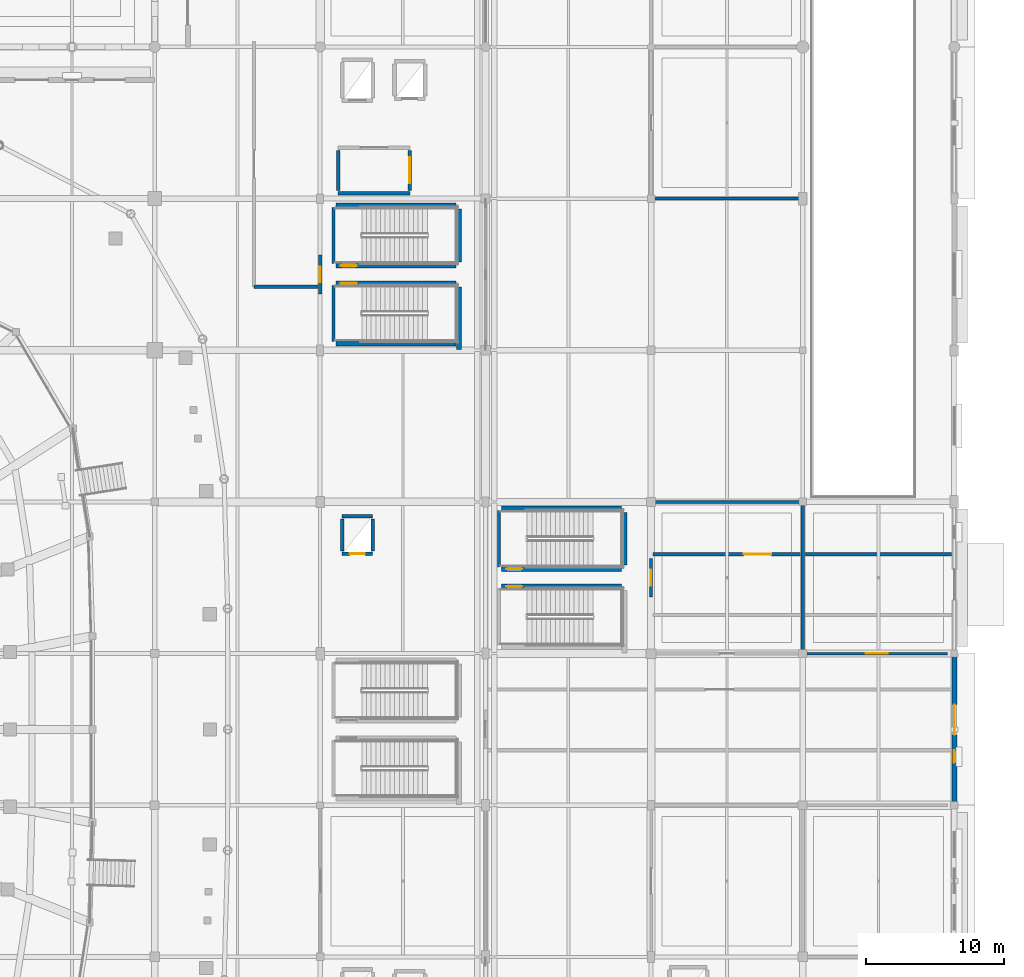
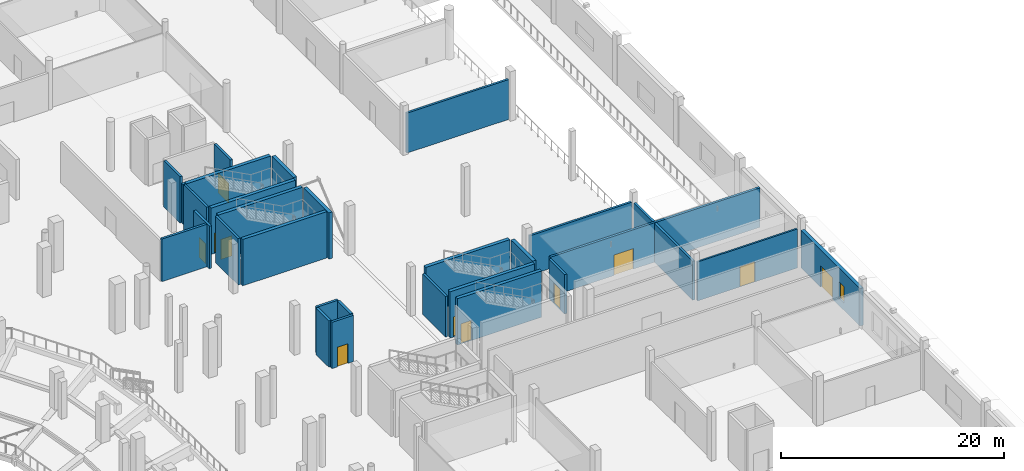
# One storey, part 66 of 120: 29 walls, 11 doors, 1 window, 12 openings.
"""IFC4 building model written with IfcOpenShell, lengths in metres."""

from ifc_helpers import new_model, si_unit, direction, frame, frame_2d, origin, place, context, subcontext, project, spatial, rectangle, extrude, material, layer, layer_set, type_object, element, fill, save


model = new_model("IFC4")

# Units and contexts
model_context = context("Model", 3, precision=1e-05, world=origin(), true_north=direction((0.0, 1.0)))
body_context = subcontext(model_context, "Body", "Model", "MODEL_VIEW")
ifc_project = project(units=[si_unit("LENGTHUNIT", "METRE"), si_unit("AREAUNIT", "SQUARE_METRE"), si_unit("VOLUMEUNIT", "CUBIC_METRE"), si_unit("PLANEANGLEUNIT", "RADIAN"), si_unit("MASSUNIT", "GRAM", prefix="KILO")], contexts=[model_context])

# Site, building, storey
site_placement = place(None, origin())
site = spatial("IfcSite", under=ifc_project, at=site_placement, CompositionType="ELEMENT")
building_placement = place(site_placement, origin())
building = spatial("IfcBuilding", under=site, at=building_placement, Name="Luwafu Chhajja Arena", CompositionType="ELEMENT")
storey_placement = place(building_placement, origin())
storey = spatial("IfcBuildingStorey", under=building, at=storey_placement, Name="L00", CompositionType="ELEMENT", Elevation=0.0)

# Wall
ifc_material_1 = material(Name="Concrete blockwork masonry", Category="masonry")
ifc_layer_1 = layer(ifc_material_1, 0.239990234375, Name="Concrete blockwork masonry")
ifc_layer_set_1 = layer_set([ifc_layer_1], Name="Concrete blockwork masonry")
wall_type_1 = type_object("IfcWallType", Name="Compartment Masonry Partition 240", PredefinedType="PARTITIONING", material=ifc_layer_set_1)
wall_1_placement = place(storey_placement, frame((187.0, 55.219970703125, 0.0), z_axis=(0.0, 0.0, 1.0), x_axis=(0.0, 1.0, 0.0)))
element("IfcWall", 1, at=wall_1_placement, inside=storey, type_object=wall_type_1, Name="L00 Internal Partition 0210", PredefinedType="PARTITIONING", context=body_context, shape_type="SweptSolid", body=[
    extrude(rectangle(XDim=10.56005859375, YDim=0.239990234375, at=frame_2d((5.280029296875, 0.0))), origin(), (0.0, 0.0, 1.0), 4.25),
])

# Wall, opening, door
wall_2_placement = place(storey_placement, frame((176.14990234375, 62.199951171875, 0.0), z_axis=(0.0, 0.0, 1.0), x_axis=(1.0, 0.0, 0.0)))
wall_2 = element("IfcWall", 2, at=wall_2_placement, inside=storey, type_object=wall_type_1, Name="L00 Protected Exit Passageway EI 120 Wall WXP-C10-N", PredefinedType="PARTITIONING", context=body_context, shape_type="SweptSolid", body=[
    extrude(rectangle(XDim=21.650146484375, YDim=0.239990234375, at=frame_2d((10.8251953125, 0.0))), origin(), (0.0, 0.0, 1.0), 4.300048828125),
])
opening_1_placement = place(wall_2_placement, frame((6.577392578125, 0.0, 0.0)))
opening_1 = element("IfcOpeningElement", 3, at=opening_1_placement, cuts=wall_2, Name="Opening DR-08", PredefinedType="OPENING", context=body_context, shape_type="SweptSolid", body=[
    extrude(rectangle(XDim=2.0, YDim=2.25, at=frame_2d((1.0, 1.125))), frame((0.0, 0.1298828125, 0.0), z_axis=(0.0, -1.0, 0.0), x_axis=(1.0, 0.0, 0.0)), (0.0, 0.0, 1.0), 0.260009765625),
])
ifc_material_2 = material(Name="Fire-rated hardwood double leaf", Category="wood")
door_type_1 = type_object("IfcDoorType", Name="DR-08", OperationType="DOUBLE_DOOR_SINGLE_SWING", PredefinedType="DOOR", material=ifc_material_2)
door_1_placement = place(opening_1_placement, origin())
door_1 = element("IfcDoor", 4, at=door_1_placement, inside=storey, type_object=door_type_1, Name="L00 Protected Exit Passageway Fire Door L00-D064", OperationType="DOUBLE_DOOR_SINGLE_SWING", OverallHeight=2.25, OverallWidth=2.0, PredefinedType="DOOR", context=body_context, shape_type="SweptSolid", body=[
    extrude(rectangle(XDim=2.0, YDim=2.25, at=frame_2d((1.0, 1.125))), frame((0.0, 0.02490234375, 0.0), z_axis=(0.0, -1.0, 0.0), x_axis=(1.0, 0.0, 0.0)), (0.0, 0.0, 1.0), 0.050048828125),
])
fill(opening_1, door_1)

# Wall
wall_3_placement = place(storey_placement, frame((147.199951171875, 81.60009765625, 0.0), z_axis=(0.0, 0.0, 1.0), x_axis=(1.0, 0.0, 0.0)))
element("IfcWall", 5, at=wall_3_placement, inside=storey, type_object=wall_type_1, Name="L00 Protected Exit Passageway EI 120 Wall WXP-C4-S", PredefinedType="PARTITIONING", context=body_context, shape_type="SweptSolid", body=[
    extrude(rectangle(XDim=4.650146484375, YDim=0.239990234375, at=frame_2d((2.3251953125, 0.0))), origin(), (0.0, 0.0, 1.0), 4.64990234375),
])

# Wall, opening, door
wall_4_placement = place(storey_placement, frame((152.0, 81.10009765625, 0.0), z_axis=(0.0, 0.0, 1.0), x_axis=(0.0, 1.0, 0.0)))
wall_4 = element("IfcWall", 6, at=wall_4_placement, inside=storey, type_object=wall_type_1, Name="L00 Protected Exit Corridor Mouth Wall WXP-M-C4", PredefinedType="PARTITIONING", context=body_context, shape_type="SweptSolid", body=[
    extrude(rectangle(XDim=2.7998046875, YDim=0.239990234375, at=frame_2d((1.39990234375, 0.0))), origin(), (0.0, 0.0, 1.0), 4.64990234375),
])
opening_2_placement = place(wall_4_placement, frame((0.824951171875, 0.0, 0.0)))
opening_2 = element("IfcOpeningElement", 7, at=opening_2_placement, cuts=wall_4, Name="Opening DR-06", PredefinedType="OPENING", context=body_context, shape_type="SweptSolid", body=[
    extrude(rectangle(XDim=1.14990234375, YDim=2.199951171875, at=frame_2d((0.574951171875, 1.10009765625))), frame((0.0, 0.1298828125, 0.0), z_axis=(0.0, -1.0, 0.0), x_axis=(1.0, 0.0, 0.0)), (0.0, 0.0, 1.0), 0.260009765625),
])
ifc_material_3 = material(Name="Fire-rated hardwood and steel core", Category="steel")
door_type_2 = type_object("IfcDoorType", Name="DR-06", OperationType="NOTDEFINED", PredefinedType="DOOR", material=ifc_material_3)
door_2_placement = place(opening_2_placement, origin())
door_2 = element("IfcDoor", 8, at=door_2_placement, inside=storey, type_object=door_type_2, Name="L00 Protected Exit Corridor Fire Door L00-D076", OperationType="SINGLE_SWING_RIGHT", OverallHeight=2.199951171875, OverallWidth=1.14990234375, PredefinedType="DOOR", context=body_context, shape_type="SweptSolid", body=[
    extrude(rectangle(XDim=1.14990234375, YDim=2.199951171875, at=frame_2d((0.574951171875, 1.10009765625))), frame((0.0, 0.02490234375, 0.0), z_axis=(0.0, -1.0, 0.0), x_axis=(1.0, 0.0, 0.0)), (0.0, 0.0, 1.0), 0.050048828125),
])
fill(opening_2, door_2)

wall_5_placement = place(storey_placement, frame((176.0, 59.10009765625, 0.0), z_axis=(0.0, 0.0, 1.0), x_axis=(0.0, 1.0, 0.0)))
wall_5 = element("IfcWall", 9, at=wall_5_placement, inside=storey, type_object=wall_type_1, Name="L00 Protected Exit Corridor Mouth Wall WXP-M-C10", PredefinedType="PARTITIONING", context=body_context, shape_type="SweptSolid", body=[
    extrude(rectangle(XDim=2.7998046875, YDim=0.239990234375, at=frame_2d((1.39990234375, 0.0))), origin(), (0.0, 0.0, 1.0), 4.300048828125),
])
opening_3_placement = place(wall_5_placement, frame((0.824951171875, 0.0, 0.0)))
opening_3 = element("IfcOpeningElement", 10, at=opening_3_placement, cuts=wall_5, Name="Opening DR-06", PredefinedType="OPENING", context=body_context, shape_type="SweptSolid", body=[
    extrude(rectangle(XDim=1.14990234375, YDim=2.199951171875, at=frame_2d((0.574951171875, 1.10009765625))), frame((0.0, 0.1298828125, 0.0), z_axis=(0.0, -1.0, 0.0), x_axis=(1.0, 0.0, 0.0)), (0.0, 0.0, 1.0), 0.260009765625),
])
door_3_placement = place(opening_3_placement, origin())
door_3 = element("IfcDoor", 11, at=door_3_placement, inside=storey, type_object=door_type_2, Name="L00 Protected Exit Corridor Fire Door L00-D080", OperationType="SINGLE_SWING_RIGHT", OverallHeight=2.199951171875, OverallWidth=1.14990234375, PredefinedType="DOOR", context=body_context, shape_type="SweptSolid", body=[
    extrude(rectangle(XDim=1.14990234375, YDim=2.199951171875, at=frame_2d((0.574951171875, 1.10009765625))), frame((0.0, 0.02490234375, 0.0), z_axis=(0.0, -1.0, 0.0), x_axis=(1.0, 0.0, 0.0)), (0.0, 0.0, 1.0), 0.050048828125),
])
fill(opening_3, door_3)

# Walls
ifc_material_4 = material(Name="Concrete C40/50", Category="concrete")
ifc_layer_2 = layer(ifc_material_4, 0.260009765625, Name="Concrete C40/50")
ifc_layer_set_2 = layer_set([ifc_layer_2], Name="Concrete C40/50")
wall_type_2 = type_object("IfcWallType", Name="Firefighting Lobby Wall 260", PredefinedType="SOLIDWALL", material=ifc_layer_set_2)
wall_6_placement = place(storey_placement, frame((153.300048828125, 88.39990234375, 0.0), z_axis=(0.0, 0.0, 1.0), x_axis=(1.0, 0.0, 0.0)))
element("IfcWall", 12, at=wall_6_placement, inside=storey, type_object=wall_type_2, Name="L00 Core C4 Firefighting Lobby Wall S", PredefinedType="SOLIDWALL", context=body_context, shape_type="SweptSolid", body=[
    extrude(rectangle(XDim=5.199951171875, YDim=0.260009765625, at=frame_2d((2.60009765625, 0.0))), origin(), (0.0, 0.0, 1.0), 4.366455078125),
])
wall_7_placement = place(storey_placement, frame((153.300048828125, 88.60009765625, 0.0), z_axis=(0.0, 0.0, 1.0), x_axis=(0.0, 1.0, 0.0)))
element("IfcWall", 13, at=wall_7_placement, inside=storey, type_object=wall_type_2, Name="L00 Core C4 Firefighting Lobby Wall W", PredefinedType="SOLIDWALL", context=body_context, shape_type="SweptSolid", body=[
    extrude(rectangle(XDim=2.89990234375, YDim=0.260009765625, at=frame_2d((1.449951171875, 0.0))), origin(), (0.0, 0.0, 1.0), 5.06005859375),
])

# Wall, opening, door
wall_8_placement = place(storey_placement, frame((158.5, 88.60009765625, 0.0), z_axis=(0.0, 0.0, 1.0), x_axis=(0.0, 1.0, 0.0)))
wall_8 = element("IfcWall", 14, at=wall_8_placement, inside=storey, type_object=wall_type_2, Name="L00 Core C4 Firefighting Lobby Wall E", PredefinedType="SOLIDWALL", context=body_context, shape_type="SweptSolid", body=[
    extrude(rectangle(XDim=2.89990234375, YDim=0.260009765625, at=frame_2d((1.449951171875, 0.0))), origin(), (0.0, 0.0, 1.0), 5.06005859375),
])
opening_4_placement = place(wall_8_placement, frame((0.5, 0.0, 0.0)))
opening_4 = element("IfcOpeningElement", 15, at=opening_4_placement, cuts=wall_8, Name="Opening DR-07", PredefinedType="OPENING", context=body_context, shape_type="SweptSolid", body=[
    extrude(rectangle(XDim=1.89990234375, YDim=2.199951171875, at=frame_2d((0.949951171875, 1.10009765625))), frame((0.0, 0.139892578125, 0.0), z_axis=(0.0, -1.0, 0.0), x_axis=(1.0, 0.0, 0.0)), (0.0, 0.0, 1.0), 0.280029296875),
])
ifc_material_5 = material(Name="Fire-rated hardwood and vision panel", Category="wood")
door_type_3 = type_object("IfcDoorType", Name="DR-07", OperationType="DOUBLE_DOOR_SINGLE_SWING", PredefinedType="DOOR", material=ifc_material_5)
door_4_placement = place(opening_4_placement, origin())
door_4 = element("IfcDoor", 16, at=door_4_placement, inside=storey, type_object=door_type_3, Name="L00 Firefighting Lobby C4 Door L00-D016", OperationType="DOUBLE_DOOR_SINGLE_SWING", OverallHeight=2.199951171875, OverallWidth=1.89990234375, PredefinedType="DOOR", context=body_context, shape_type="SweptSolid", body=[
    extrude(rectangle(XDim=1.89990234375, YDim=2.199951171875, at=frame_2d((0.949951171875, 1.10009765625))), frame((0.0, 0.02490234375, 0.0), z_axis=(0.0, -1.0, 0.0), x_axis=(1.0, 0.0, 0.0)), (0.0, 0.0, 1.0), 0.050048828125),
])
fill(opening_4, door_4)

ifc_layer_3 = layer(ifc_material_1, 0.179931640625, Name="Concrete blockwork masonry")
ifc_layer_set_3 = layer_set([ifc_layer_3], Name="Concrete blockwork masonry")
wall_type_3 = type_object("IfcWallType", Name="Hospitality Suite Partition 180", PredefinedType="PARTITIONING", material=ifc_layer_set_3)
wall_9_placement = place(storey_placement, frame((187.219970703125, 55.0, 0.0), z_axis=(0.0, 0.0, 1.0), x_axis=(1.0, 0.0, 0.0)))
wall_9 = element("IfcWall", 17, at=wall_9_placement, inside=storey, type_object=wall_type_3, Name="L00 Internal Partition 0194", PredefinedType="PARTITIONING", context=body_context, shape_type="SweptSolid", body=[
    extrude(rectangle(XDim=10.300048828125, YDim=0.179931640625, at=frame_2d((5.14990234375, 0.0))), origin(), (0.0, 0.0, 1.0), 4.25),
])
opening_5_placement = place(wall_9_placement, frame((4.3701171875, 0.0, 0.0)))
opening_5 = element("IfcOpeningElement", 18, at=opening_5_placement, cuts=wall_9, Name="Opening DR-19", PredefinedType="OPENING", context=body_context, shape_type="SweptSolid", body=[
    extrude(rectangle(XDim=1.56005859375, YDim=2.199951171875, at=frame_2d((0.780029296875, 1.10009765625))), frame((0.0, 0.099853515625, 0.0), z_axis=(0.0, -1.0, 0.0), x_axis=(1.0, 0.0, 0.0)), (0.0, 0.0, 1.0), 0.199951171875),
])
ifc_material_6 = material(Name="Solid-core moisture-resistant laminate leaf")
door_type_4 = type_object("IfcDoorType", Name="DR-19", OperationType="DOUBLE_DOOR_SINGLE_SWING", PredefinedType="DOOR", material=ifc_material_6)
door_5_placement = place(opening_5_placement, origin())
door_5 = element("IfcDoor", 19, at=door_5_placement, inside=storey, type_object=door_type_4, Name="L00 Interior Door L00-D061", OperationType="DOUBLE_DOOR_SINGLE_SWING", OverallHeight=2.199951171875, OverallWidth=1.56005859375, PredefinedType="DOOR", context=body_context, shape_type="SweptSolid", body=[
    extrude(rectangle(XDim=1.56005859375, YDim=2.199951171875, at=frame_2d((0.780029296875, 1.10009765625))), frame((0.0, 0.02490234375, 0.0), z_axis=(0.0, -1.0, 0.0), x_axis=(1.0, 0.0, 0.0)), (0.0, 0.0, 1.0), 0.050048828125),
])
fill(opening_5, door_5)

ifc_material_7 = material(Name="Concrete C35/45", Category="concrete")
ifc_layer_4 = layer(ifc_material_7, 0.260009765625, Name="Concrete C35/45")
ifc_layer_set_4 = layer_set([ifc_layer_4], Name="Concrete C35/45")
wall_type_4 = type_object("IfcWallType", Name="Lift and Riser Shaft Wall 260", PredefinedType="SOLIDWALL", material=ifc_layer_set_4)
wall_10_placement = place(storey_placement, frame((153.590087890625, 62.239990234375, 0.0), z_axis=(0.0, 0.0, 1.0), x_axis=(1.0, 0.0, 0.0)))
wall_10 = element("IfcWall", 20, at=wall_10_placement, inside=storey, type_object=wall_type_4, Name="L00 Lift LF-10 Shaft Wall S", PredefinedType="SOLIDWALL", context=body_context, shape_type="SweptSolid", body=[
    extrude(rectangle(XDim=2.219970703125, YDim=0.260009765625, at=frame_2d((1.10986328125, 0.0))), origin(), (0.0, 0.0, 1.0), 5.06005859375),
])
opening_6_placement = place(wall_10_placement, frame((0.56005859375, 0.0, 0.0)))
opening_6 = element("IfcOpeningElement", 21, at=opening_6_placement, cuts=wall_10, Name="Opening LD-01", PredefinedType="OPENING", context=body_context, shape_type="SweptSolid", body=[
    extrude(rectangle(XDim=1.10009765625, YDim=2.14990234375, at=frame_2d((0.550048828125, 1.074951171875))), frame((0.0, 0.139892578125, 0.0), z_axis=(0.0, -1.0, 0.0), x_axis=(1.0, 0.0, 0.0)), (0.0, 0.0, 1.0), 0.280029296875),
])
ifc_material_8 = material(Name="Brushed stainless steel sliding leaves", Category="steel")
door_type_5 = type_object("IfcDoorType", Name="LD-01", OperationType="SLIDING_TO_LEFT", PredefinedType="DOOR", material=ifc_material_8)
door_6_placement = place(opening_6_placement, origin())
door_6 = element("IfcDoor", 22, at=door_6_placement, inside=storey, type_object=door_type_5, Name="L00 Lift LF-10 Landing Door L00-LD10", OperationType="SLIDING_TO_LEFT", OverallHeight=2.14990234375, OverallWidth=1.10009765625, PredefinedType="DOOR", context=body_context, shape_type="SweptSolid", body=[
    extrude(rectangle(XDim=1.10009765625, YDim=2.14990234375, at=frame_2d((0.550048828125, 1.074951171875))), frame((0.0, 0.02490234375, 0.0), z_axis=(0.0, -1.0, 0.0), x_axis=(1.0, 0.0, 0.0)), (0.0, 0.0, 1.0), 0.050048828125),
])
fill(opening_6, door_6)

# Walls
wall_11_placement = place(storey_placement, frame((153.590087890625, 64.9599609375, 0.0), z_axis=(0.0, 0.0, 1.0), x_axis=(1.0, 0.0, 0.0)))
element("IfcWall", 23, at=wall_11_placement, inside=storey, type_object=wall_type_4, Name="L00 Lift LF-10 Shaft Wall N", PredefinedType="SOLIDWALL", context=body_context, shape_type="SweptSolid", body=[
    extrude(rectangle(XDim=2.219970703125, YDim=0.260009765625, at=frame_2d((1.10986328125, 0.0))), origin(), (0.0, 0.0, 1.0), 5.06005859375),
])
for number, where, z_axis, x_axis, name in (
    (24, (153.590087890625, 62.43994140625, 0.0), (0.0, 0.0, 1.0), (0.0, 1.0, 0.0), "L00 Lift LF-10 Shaft Wall W"),
    (25, (155.81005859375, 62.43994140625, 0.0), (0.0, 0.0, 1.0), (0.0, 1.0, 0.0), "L00 Lift LF-10 Shaft Wall E"),
):
    element("IfcWall", number, at=place(storey_placement, frame(where, z_axis=z_axis, x_axis=x_axis)), inside=storey, type_object=wall_type_4, Name=name, PredefinedType="SOLIDWALL", context=body_context, shape_type="SweptSolid", body=[
        extrude(rectangle(XDim=2.320068359375, YDim=0.260009765625, at=frame_2d((1.16015625, 0.0))), origin(), (0.0, 0.0, 1.0), 5.06005859375),
    ])
ifc_layer_5 = layer(ifc_material_1, 0.219970703125, Name="Concrete blockwork masonry")
ifc_layer_set_5 = layer_set([ifc_layer_5], Name="Concrete blockwork masonry")
wall_type_5 = type_object("IfcWallType", Name="Protected Corridor Partition 220", PredefinedType="PARTITIONING", material=ifc_layer_set_5)
wall_12_placement = place(storey_placement, frame((176.219970703125, 66.0, 0.0), z_axis=(0.0, 0.0, 1.0), x_axis=(1.0, 0.0, 0.0)))
element("IfcWall", 26, at=wall_12_placement, inside=storey, type_object=wall_type_5, Name="L00 Internal Partition 0189", PredefinedType="PARTITIONING", context=body_context, shape_type="SweptSolid", body=[
    extrude(rectangle(XDim=10.56005859375, YDim=0.219970703125, at=frame_2d((5.280029296875, 0.0))), origin(), (0.0, 0.0, 1.0), 4.300048828125),
])
wall_13_placement = place(storey_placement, frame((176.219970703125, 88.0, 0.0), z_axis=(0.0, 0.0, 1.0), x_axis=(1.0, 0.0, 0.0)))
element("IfcWall", 27, at=wall_13_placement, inside=storey, type_object=wall_type_5, Name="L00 Internal Partition 0190", PredefinedType="PARTITIONING", context=body_context, shape_type="SweptSolid", body=[
    extrude(rectangle(XDim=10.56005859375, YDim=0.219970703125, at=frame_2d((5.280029296875, 0.0))), origin(), (0.0, 0.0, 1.0), 4.366455078125),
])
ifc_layer_6 = layer(ifc_material_4, 0.35009765625, Name="Concrete C40/50")
ifc_layer_set_6 = layer_set([ifc_layer_6], Name="Concrete C40/50")
wall_type_6 = type_object("IfcWallType", Name="RC Core Shear Wall 350", PredefinedType="SOLIDWALL", material=ifc_layer_set_6)
wall_14_placement = place(storey_placement, frame((162.072021484375, 77.050048828125, 0.0), z_axis=(0.0, 0.0, 1.0), x_axis=(0.0, 1.0, 0.0)))
element("IfcWall", 28, at=wall_14_placement, inside=storey, type_object=wall_type_6, Name="L00 Stair ST-07 Core Shear Wall E", PredefinedType="SOLIDWALL", context=body_context, shape_type="SweptSolid", body=[
    extrude(rectangle(XDim=4.5400390625, YDim=0.35009765625, at=frame_2d((2.27001953125, 0.0))), origin(), (0.0, 0.0, 1.0), 5.06005859375),
])
wall_15_placement = place(storey_placement, frame((153.14990234375, 77.47802734375, 0.0), z_axis=(0.0, 0.0, 1.0), x_axis=(1.0, 0.0, 0.0)))
element("IfcWall", 29, at=wall_15_placement, inside=storey, type_object=wall_type_6, Name="L00 Stair ST-07 Core Shear Wall S", PredefinedType="SOLIDWALL", context=body_context, shape_type="SweptSolid", body=[
    extrude(rectangle(XDim=8.7001953125, YDim=0.35009765625, at=frame_2d((4.35009765625, 0.0))), origin(), (0.0, 0.0, 1.0), 5.06005859375),
])

# Wall, opening, door
wall_16_placement = place(storey_placement, frame((153.14990234375, 81.862060546875, 0.0), z_axis=(0.0, 0.0, 1.0), x_axis=(1.0, 0.0, 0.0)))
wall_16 = element("IfcWall", 30, at=wall_16_placement, inside=storey, type_object=wall_type_6, Name="L00 Stair ST-07 Core Shear Wall N", PredefinedType="SOLIDWALL", context=body_context, shape_type="SweptSolid", body=[
    extrude(rectangle(XDim=8.7001953125, YDim=0.35009765625, at=frame_2d((4.35009765625, 0.0))), origin(), (0.0, 0.0, 1.0), 5.06005859375),
])
opening_7_placement = place(wall_16_placement, frame((0.35009765625, 0.0, 0.0)))
opening_7 = element("IfcOpeningElement", 31, at=opening_7_placement, cuts=wall_16, Name="Opening DR-06", PredefinedType="OPENING", context=body_context, shape_type="SweptSolid", body=[
    extrude(rectangle(XDim=1.14990234375, YDim=2.199951171875, at=frame_2d((0.574951171875, 1.10009765625))), frame((0.0, 0.18505859375, 0.0), z_axis=(0.0, -1.0, 0.0), x_axis=(1.0, 0.0, 0.0)), (0.0, 0.0, 1.0), 0.3701171875),
])
door_7_placement = place(opening_7_placement, origin())
door_7 = element("IfcDoor", 32, at=door_7_placement, inside=storey, type_object=door_type_2, Name="L00 Escape Stair ST-07 Fire Door L00-D013", OperationType="SINGLE_SWING_RIGHT", OverallHeight=2.199951171875, OverallWidth=1.14990234375, PredefinedType="DOOR", context=body_context, shape_type="SweptSolid", body=[
    extrude(rectangle(XDim=1.14990234375, YDim=2.199951171875, at=frame_2d((0.574951171875, 1.10009765625))), frame((0.0, 0.02490234375, 0.0), z_axis=(0.0, -1.0, 0.0), x_axis=(1.0, 0.0, 0.0)), (0.0, 0.0, 1.0), 0.050048828125),
])
fill(opening_7, door_7)

# Wall
wall_17_placement = place(storey_placement, frame((162.072021484375, 83.409912109375, 0.0), z_axis=(0.0, 0.0, 1.0), x_axis=(0.0, 1.0, 0.0)))
element("IfcWall", 33, at=wall_17_placement, inside=storey, type_object=wall_type_6, Name="L00 Stair ST-08 Core Shear Wall E", PredefinedType="SOLIDWALL", context=body_context, shape_type="SweptSolid", body=[
    extrude(rectangle(XDim=3.840087890625, YDim=0.35009765625, at=frame_2d((1.919921875, 0.0))), origin(), (0.0, 0.0, 1.0), 5.06005859375),
])

# Wall, opening, door
wall_18_placement = place(storey_placement, frame((153.14990234375, 83.137939453125, 0.0), z_axis=(0.0, 0.0, 1.0), x_axis=(1.0, 0.0, 0.0)))
wall_18 = element("IfcWall", 34, at=wall_18_placement, inside=storey, type_object=wall_type_6, Name="L00 Stair ST-08 Core Shear Wall S", PredefinedType="SOLIDWALL", context=body_context, shape_type="SweptSolid", body=[
    extrude(rectangle(XDim=8.7001953125, YDim=0.35009765625, at=frame_2d((4.35009765625, 0.0))), origin(), (0.0, 0.0, 1.0), 5.06005859375),
])
opening_8_placement = place(wall_18_placement, frame((0.35009765625, 0.0, 0.0)))
opening_8 = element("IfcOpeningElement", 35, at=opening_8_placement, cuts=wall_18, Name="Opening DR-06", PredefinedType="OPENING", context=body_context, shape_type="SweptSolid", body=[
    extrude(rectangle(XDim=1.14990234375, YDim=2.199951171875, at=frame_2d((0.574951171875, 1.10009765625))), frame((0.0, 0.18505859375, 0.0), z_axis=(0.0, -1.0, 0.0), x_axis=(1.0, 0.0, 0.0)), (0.0, 0.0, 1.0), 0.3701171875),
])
door_8_placement = place(opening_8_placement, origin())
door_8 = element("IfcDoor", 36, at=door_8_placement, inside=storey, type_object=door_type_2, Name="L00 Escape Stair ST-08 Fire Door L00-D014", OperationType="SINGLE_SWING_LEFT", OverallHeight=2.199951171875, OverallWidth=1.14990234375, PredefinedType="DOOR", context=body_context, shape_type="SweptSolid", body=[
    extrude(rectangle(XDim=1.14990234375, YDim=2.199951171875, at=frame_2d((0.574951171875, 1.10009765625))), frame((0.0, 0.02490234375, 0.0), z_axis=(0.0, -1.0, 0.0), x_axis=(1.0, 0.0, 0.0)), (0.0, 0.0, 1.0), 0.050048828125),
])
fill(opening_8, door_8)

# Wall
wall_19_placement = place(storey_placement, frame((153.14990234375, 87.52197265625, 0.0), z_axis=(0.0, 0.0, 1.0), x_axis=(1.0, 0.0, 0.0)))
element("IfcWall", 37, at=wall_19_placement, inside=storey, type_object=wall_type_6, Name="L00 Stair ST-08 Core Shear Wall N", PredefinedType="SOLIDWALL", context=body_context, shape_type="SweptSolid", body=[
    extrude(rectangle(XDim=8.7001953125, YDim=0.35009765625, at=frame_2d((4.35009765625, 0.0))), origin(), (0.0, 0.0, 1.0), 5.06005859375),
])

# Wall, opening, door
wall_20_placement = place(storey_placement, frame((165.14990234375, 59.862060546875, 0.0), z_axis=(0.0, 0.0, 1.0), x_axis=(1.0, 0.0, 0.0)))
wall_20 = element("IfcWall", 38, at=wall_20_placement, inside=storey, type_object=wall_type_6, Name="L00 Stair ST-19 Core Shear Wall N", PredefinedType="SOLIDWALL", context=body_context, shape_type="SweptSolid", body=[
    extrude(rectangle(XDim=8.7001953125, YDim=0.35009765625, at=frame_2d((4.35009765625, 0.0))), origin(), (0.0, 0.0, 1.0), 5.06005859375),
])
opening_9_placement = place(wall_20_placement, frame((0.35009765625, 0.0, 0.0)))
opening_9 = element("IfcOpeningElement", 39, at=opening_9_placement, cuts=wall_20, Name="Opening DR-06", PredefinedType="OPENING", context=body_context, shape_type="SweptSolid", body=[
    extrude(rectangle(XDim=1.14990234375, YDim=2.199951171875, at=frame_2d((0.574951171875, 1.10009765625))), frame((0.0, 0.18505859375, 0.0), z_axis=(0.0, -1.0, 0.0), x_axis=(1.0, 0.0, 0.0)), (0.0, 0.0, 1.0), 0.3701171875),
])
door_9_placement = place(opening_9_placement, origin())
door_9 = element("IfcDoor", 40, at=door_9_placement, inside=storey, type_object=door_type_2, Name="L00 Escape Stair ST-19 Fire Door L00-D027", OperationType="SINGLE_SWING_RIGHT", OverallHeight=2.199951171875, OverallWidth=1.14990234375, PredefinedType="DOOR", context=body_context, shape_type="SweptSolid", body=[
    extrude(rectangle(XDim=1.14990234375, YDim=2.199951171875, at=frame_2d((0.574951171875, 1.10009765625))), frame((0.0, 0.02490234375, 0.0), z_axis=(0.0, -1.0, 0.0), x_axis=(1.0, 0.0, 0.0)), (0.0, 0.0, 1.0), 0.050048828125),
])
fill(opening_9, door_9)

# Wall
wall_21_placement = place(storey_placement, frame((174.072021484375, 61.409912109375, 0.0), z_axis=(0.0, 0.0, 1.0), x_axis=(0.0, 1.0, 0.0)))
element("IfcWall", 41, at=wall_21_placement, inside=storey, type_object=wall_type_6, Name="L00 Stair ST-20 Core Shear Wall E", PredefinedType="SOLIDWALL", context=body_context, shape_type="SweptSolid", body=[
    extrude(rectangle(XDim=3.840087890625, YDim=0.35009765625, at=frame_2d((1.919921875, 0.0))), origin(), (0.0, 0.0, 1.0), 5.06005859375),
])

# Wall, opening, door
wall_22_placement = place(storey_placement, frame((165.14990234375, 61.137939453125, 0.0), z_axis=(0.0, 0.0, 1.0), x_axis=(1.0, 0.0, 0.0)))
wall_22 = element("IfcWall", 42, at=wall_22_placement, inside=storey, type_object=wall_type_6, Name="L00 Stair ST-20 Core Shear Wall S", PredefinedType="SOLIDWALL", context=body_context, shape_type="SweptSolid", body=[
    extrude(rectangle(XDim=8.7001953125, YDim=0.35009765625, at=frame_2d((4.35009765625, 0.0))), origin(), (0.0, 0.0, 1.0), 5.06005859375),
])
opening_10_placement = place(wall_22_placement, frame((0.35009765625, 0.0, 0.0)))
opening_10 = element("IfcOpeningElement", 43, at=opening_10_placement, cuts=wall_22, Name="Opening DR-06", PredefinedType="OPENING", context=body_context, shape_type="SweptSolid", body=[
    extrude(rectangle(XDim=1.14990234375, YDim=2.199951171875, at=frame_2d((0.574951171875, 1.10009765625))), frame((0.0, 0.18505859375, 0.0), z_axis=(0.0, -1.0, 0.0), x_axis=(1.0, 0.0, 0.0)), (0.0, 0.0, 1.0), 0.3701171875),
])
door_10_placement = place(opening_10_placement, origin())
door_10 = element("IfcDoor", 44, at=door_10_placement, inside=storey, type_object=door_type_2, Name="L00 Escape Stair ST-20 Fire Door L00-D028", OperationType="SINGLE_SWING_LEFT", OverallHeight=2.199951171875, OverallWidth=1.14990234375, PredefinedType="DOOR", context=body_context, shape_type="SweptSolid", body=[
    extrude(rectangle(XDim=1.14990234375, YDim=2.199951171875, at=frame_2d((0.574951171875, 1.10009765625))), frame((0.0, 0.02490234375, 0.0), z_axis=(0.0, -1.0, 0.0), x_axis=(1.0, 0.0, 0.0)), (0.0, 0.0, 1.0), 0.050048828125),
])
fill(opening_10, door_10)

# Wall
wall_23_placement = place(storey_placement, frame((165.14990234375, 65.52197265625, 0.0), z_axis=(0.0, 0.0, 1.0), x_axis=(1.0, 0.0, 0.0)))
element("IfcWall", 45, at=wall_23_placement, inside=storey, type_object=wall_type_6, Name="L00 Stair ST-20 Core Shear Wall N", PredefinedType="SOLIDWALL", context=body_context, shape_type="SweptSolid", body=[
    extrude(rectangle(XDim=8.7001953125, YDim=0.35009765625, at=frame_2d((4.35009765625, 0.0))), origin(), (0.0, 0.0, 1.0), 5.06005859375),
])

# Wall, openings, door, window
ifc_layer_7 = layer(ifc_material_7, 0.360107421875, Name="Concrete C35/45")
ifc_layer_set_7 = layer_set([ifc_layer_7], Name="Concrete C35/45")
wall_type_7 = type_object("IfcWallType", Name="Sandstone Backed Exterior Wall 360", PredefinedType="SOLIDWALL", material=ifc_layer_set_7)
wall_24_placement = place(storey_placement, frame((198.0, 44.219970703125, 0.0), z_axis=(0.0, 0.0, 1.0), x_axis=(0.0, 1.0, 0.0)))
wall_24 = element("IfcWall", 46, at=wall_24_placement, inside=storey, type_object=wall_type_7, Name="L00 Exterior Wall WEX-L00-096", PredefinedType="SOLIDWALL", context=body_context, shape_type="SweptSolid", body=[
    extrude(rectangle(XDim=10.570068359375, YDim=0.360107421875, at=frame_2d((5.28515625, 0.0))), origin(), (0.0, 0.0, 1.0), 4.10009765625),
])
opening_11_placement = place(wall_24_placement, frame((4.8798828125, 0.0, 0.0)))
opening_11 = element("IfcOpeningElement", 47, at=opening_11_placement, cuts=wall_24, Name="Opening DR-03", PredefinedType="OPENING", context=body_context, shape_type="SweptSolid", body=[
    extrude(rectangle(XDim=2.199951171875, YDim=2.35009765625, at=frame_2d((1.10009765625, 1.175048828125))), frame((0.0, 0.18994140625, 0.0), z_axis=(0.0, -1.0, 0.0), x_axis=(1.0, 0.0, 0.0)), (0.0, 0.0, 1.0), 0.380126953125),
])
opening_12_placement = place(wall_24_placement, frame((2.85302734375, 0.0, 0.800048828125)))
opening_12 = element("IfcOpeningElement", 48, at=opening_12_placement, cuts=wall_24, Name="Opening WN-16", PredefinedType="OPENING", context=body_context, shape_type="SweptSolid", body=[
    extrude(rectangle(XDim=0.89990234375, YDim=1.800048828125, at=frame_2d((0.449951171875, 0.89990234375))), frame((0.0, 0.18994140625, 0.0), z_axis=(0.0, -1.0, 0.0), x_axis=(1.0, 0.0, 0.0)), (0.0, 0.0, 1.0), 0.380126953125),
])
ifc_material_9 = material(Name="Fire-rated bronze aluminium and glazed vision leaves", Category="aluminium")
door_type_6 = type_object("IfcDoorType", Name="DR-03", OperationType="DOUBLE_DOOR_SINGLE_SWING", PredefinedType="DOOR", material=ifc_material_9)
door_11_placement = place(opening_11_placement, frame((2.199951171875, 0.0, 0.0), z_axis=(0.0, 0.0, 1.0), x_axis=(-1.0, 0.0, 0.0)))
door_11 = element("IfcDoor", 49, at=door_11_placement, inside=storey, type_object=door_type_6, Name="Stair Exit Discharge Door SX-27", OperationType="DOUBLE_DOOR_SINGLE_SWING", OverallHeight=2.35009765625, OverallWidth=2.199951171875, PredefinedType="DOOR", context=body_context, shape_type="SweptSolid", body=[
    extrude(rectangle(XDim=2.199951171875, YDim=2.35009765625, at=frame_2d((1.10009765625, 1.175048828125))), frame((0.0, 0.02490234375, 0.0), z_axis=(0.0, -1.0, 0.0), x_axis=(1.0, 0.0, 0.0)), (0.0, 0.0, 1.0), 0.050048828125),
])
fill(opening_11, door_11)
ifc_material_10 = material(Name="Solar-control laminated glass", Category="glass")
window_type = type_object("IfcWindowType", Name="Stair Core Daylight Slot Window 900x1800", PartitioningType="SINGLE_PANEL", PredefinedType="WINDOW", material=ifc_material_10)
window_placement = place(opening_12_placement, origin())
window = element("IfcWindow", 50, at=window_placement, inside=storey, type_object=window_type, Name="L00 Facade Window 298", OverallHeight=1.800048828125, OverallWidth=0.89990234375, PartitioningType="SINGLE_PANEL", PredefinedType="WINDOW", context=body_context, shape_type="SweptSolid", body=[
    extrude(rectangle(XDim=0.89990234375, YDim=1.800048828125, at=frame_2d((0.449951171875, 0.89990234375))), frame((0.0, 0.030029296875, 0.0), z_axis=(0.0, -1.0, 0.0), x_axis=(1.0, 0.0, 0.0)), (0.0, 0.0, 1.0), 0.06005859375),
])
fill(opening_12, window)

# Walls
ifc_layer_8 = layer(ifc_material_7, 0.22998046875, Name="Concrete C35/45")
ifc_layer_set_8 = layer_set([ifc_layer_8], Name="Concrete C35/45")
wall_type_8 = type_object("IfcWallType", Name="Stair Enclosure Wall 230", PredefinedType="SOLIDWALL", material=ifc_layer_set_8)
for number, where, z_axis, x_axis, name in (
    (51, (152.9599609375, 77.6298828125, 0.0), (0.0, 0.0, 1.0), (0.0, 1.0, 0.0), "L00 Stair ST-07 Enclosure Wall W"),
    (52, (152.9599609375, 83.2900390625, 0.0), (0.0, 0.0, 1.0), (0.0, 1.0, 0.0), "L00 Stair ST-08 Enclosure Wall W"),
):
    element("IfcWall", number, at=place(storey_placement, frame(where, z_axis=z_axis, x_axis=x_axis)), inside=storey, type_object=wall_type_8, Name=name, PredefinedType="SOLIDWALL", context=body_context, shape_type="SweptSolid", body=[
        extrude(rectangle(XDim=4.080078125, YDim=0.22998046875, at=frame_2d((2.0400390625, 0.0))), origin(), (0.0, 0.0, 1.0), 5.06005859375),
    ])
wall_25_placement = place(storey_placement, frame((164.9599609375, 61.2900390625, 0.0), z_axis=(0.0, 0.0, 1.0), x_axis=(0.0, 1.0, 0.0)))
element("IfcWall", 53, at=wall_25_placement, inside=storey, type_object=wall_type_8, Name="L00 Stair ST-20 Enclosure Wall W", PredefinedType="SOLIDWALL", context=body_context, shape_type="SweptSolid", body=[
    extrude(rectangle(XDim=4.080078125, YDim=0.22998046875, at=frame_2d((2.0400390625, 0.0))), origin(), (0.0, 0.0, 1.0), 4.449951171875),
])

save(model, "model.ifc")
